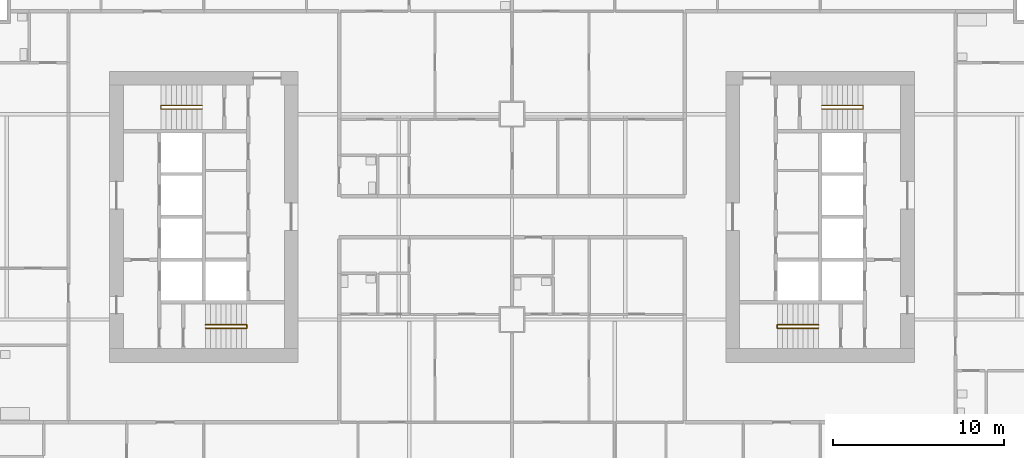
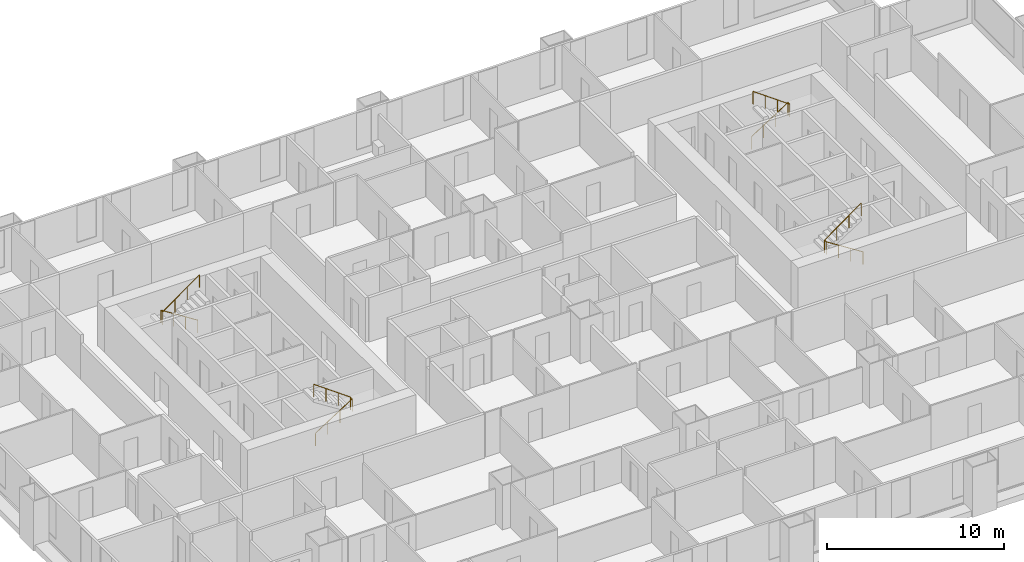
# One storey, part 13 of 14: 4 railings.
"""IFC4 building model written with IfcOpenShell, lengths in metres."""

from ifc_helpers import new_model, si_unit, direction, frame, origin, origin_2d, place, context, subcontext, project, spatial, circle, extrude, material, type_object, element, save


model = new_model("IFC4")

# Units and contexts
model_context = context("Model", 3, precision=1e-05, world=origin(), true_north=direction((0.0, 1.0)))
body_context = subcontext(model_context, "Body", "Model", "MODEL_VIEW")
ifc_project = project(units=[si_unit("LENGTHUNIT", "METRE"), si_unit("AREAUNIT", "SQUARE_METRE"), si_unit("VOLUMEUNIT", "CUBIC_METRE"), si_unit("PLANEANGLEUNIT", "RADIAN"), si_unit("MASSUNIT", "GRAM", prefix="KILO")], contexts=[model_context])

# Site, building, storey
site_placement = place(None, origin())
site = spatial("IfcSite", under=ifc_project, at=site_placement, CompositionType="ELEMENT")
building_placement = place(site_placement, origin())
building = spatial("IfcBuilding", under=site, at=building_placement, Name="Kitamizu Gate Tower and Museum", CompositionType="ELEMENT")
storey_placement = place(building_placement, frame((0.0, 0.0, 64.5)))
storey = spatial("IfcBuildingStorey", under=building, at=storey_placement, Name="L15", CompositionType="ELEMENT", Elevation=64.5)

# Railings
ifc_material = material(Name="Stainless steel SUS304", Category="steel")
railing_type = type_object("IfcRailingType", Name="Stair handrail 900", PredefinedType="HANDRAIL", material=ifc_material)
railing_1_placement = place(storey_placement, frame((18.10009765625, 23.5, 0.191650390625)))
element("IfcRailing", 1, at=railing_1_placement, inside=storey, type_object=railing_type, Name="Stair handrail ST1", PredefinedType="HANDRAIL", context=body_context, shape_type="SweptSolid", body=[
    extrude(circle(Radius=0.02392578125, at=origin_2d()), frame((0.0, 0.0, 0.8759765625), z_axis=(0.842668169335, 0.0, 0.538433242278), x_axis=(0.0, 1.0, 0.0)), (0.0, 0.0, 1.0), 2.847900390625),
    extrude(circle(Radius=0.02392578125, at=origin_2d()), frame((2.39990234375, 0.0, 2.4091796875), z_axis=(0.0, 1.0, 0.0), x_axis=(-1.0, 0.0, 0.0)), (0.0, 0.0, 1.0), 0.199951171875),
    extrude(circle(Radius=0.02392578125, at=origin_2d()), frame((2.39990234375, 0.199951171875, 2.4091796875), z_axis=(-0.81202760531, 0.0, 0.583619026604), x_axis=(0.0, -1.0, 0.0)), (0.0, 0.0, 1.0), 2.955322265625),
    extrude(circle(Radius=0.02099609375, at=origin_2d()), origin(), (0.0, 0.0, 1.0), 0.851806640625),
    extrude(circle(Radius=0.02099609375, at=origin_2d()), frame((0.800048828125, 0.0, 0.51123046875)), (0.0, 0.0, 1.0), 0.851806640625),
    extrude(circle(Radius=0.02099609375, at=origin_2d()), frame((1.599853515625, 0.0, 1.022216796875)), (0.0, 0.0, 1.0), 0.851806640625),
    extrude(circle(Radius=0.02099609375, at=origin_2d()), frame((2.39990234375, 0.0, 1.533447265625)), (0.0, 0.0, 1.0), 0.851806640625),
    extrude(circle(Radius=0.02099609375, at=origin_2d()), frame((2.39990234375, 0.199951171875, 1.533447265625)), (0.0, 0.0, 1.0), 0.851806640625),
    extrude(circle(Radius=0.02099609375, at=origin_2d()), frame((1.599853515625, 0.199951171875, 2.1083984375)), (0.0, 0.0, 1.0), 0.851806640625),
    extrude(circle(Radius=0.02099609375, at=origin_2d()), frame((0.800048828125, 0.199951171875, 2.683349609375)), (0.0, 0.0, 1.0), 0.851806640625),
    extrude(circle(Radius=0.02099609375, at=origin_2d()), frame((0.0, 0.199951171875, 3.25830078125)), (0.0, 0.0, 1.0), 0.851806640625),
])
railing_2_placement = place(storey_placement, frame((17.89990234375, 36.5, 0.191650390625)))
element("IfcRailing", 2, at=railing_2_placement, inside=storey, type_object=railing_type, Name="Stair handrail ST2", PredefinedType="HANDRAIL", context=body_context, shape_type="SweptSolid", body=[
    extrude(circle(Radius=0.02392578125, at=origin_2d()), frame((0.0, 0.0, 0.8759765625), z_axis=(-0.842668169335, 0.0, 0.538433242278), x_axis=(0.0, -1.0, 0.0)), (0.0, 0.0, 1.0), 2.847900390625),
    extrude(circle(Radius=0.02392578125, at=origin_2d()), frame((-2.39990234375, 0.0, 2.4091796875), z_axis=(0.0, -1.0, 0.0), x_axis=(1.0, 0.0, 0.0)), (0.0, 0.0, 1.0), 0.199951171875),
    extrude(circle(Radius=0.02392578125, at=origin_2d()), frame((-2.39990234375, -0.199951171875, 2.4091796875), z_axis=(0.81202760531, 0.0, 0.583619026604), x_axis=(0.0, 1.0, 0.0)), (0.0, 0.0, 1.0), 2.955322265625),
    extrude(circle(Radius=0.02099609375, at=origin_2d()), origin(), (0.0, 0.0, 1.0), 0.851806640625),
    extrude(circle(Radius=0.02099609375, at=origin_2d()), frame((-0.800048828125, 0.0, 0.51123046875)), (0.0, 0.0, 1.0), 0.851806640625),
    extrude(circle(Radius=0.02099609375, at=origin_2d()), frame((-1.599853515625, 0.0, 1.022216796875)), (0.0, 0.0, 1.0), 0.851806640625),
    extrude(circle(Radius=0.02099609375, at=origin_2d()), frame((-2.39990234375, 0.0, 1.533447265625)), (0.0, 0.0, 1.0), 0.851806640625),
    extrude(circle(Radius=0.02099609375, at=origin_2d()), frame((-2.39990234375, -0.199951171875, 1.533447265625)), (0.0, 0.0, 1.0), 0.851806640625),
    extrude(circle(Radius=0.02099609375, at=origin_2d()), frame((-1.599853515625, -0.199951171875, 2.1083984375)), (0.0, 0.0, 1.0), 0.851806640625),
    extrude(circle(Radius=0.02099609375, at=origin_2d()), frame((-0.800048828125, -0.199951171875, 2.683349609375)), (0.0, 0.0, 1.0), 0.851806640625),
    extrude(circle(Radius=0.02099609375, at=origin_2d()), frame((0.0, -0.199951171875, 3.25830078125)), (0.0, 0.0, 1.0), 0.851806640625),
])
railing_3_placement = place(storey_placement, frame((53.89990234375, 23.5, 0.191650390625)))
element("IfcRailing", 3, at=railing_3_placement, inside=storey, type_object=railing_type, Name="Stair handrail ST3", PredefinedType="HANDRAIL", context=body_context, shape_type="SweptSolid", body=[
    extrude(circle(Radius=0.02392578125, at=origin_2d()), frame((0.0, 0.0, 0.8759765625), z_axis=(-0.842668169335, 0.0, 0.538433242278), x_axis=(0.0, -1.0, 0.0)), (0.0, 0.0, 1.0), 2.847900390625),
    extrude(circle(Radius=0.02392578125, at=origin_2d()), frame((-2.39990234375, 0.0, 2.4091796875), z_axis=(0.0, 1.0, 0.0), x_axis=(-1.0, 0.0, 0.0)), (0.0, 0.0, 1.0), 0.199951171875),
    extrude(circle(Radius=0.02392578125, at=origin_2d()), frame((-2.39990234375, 0.199951171875, 2.4091796875), z_axis=(0.81202760531, 0.0, 0.583619026604), x_axis=(0.0, 1.0, 0.0)), (0.0, 0.0, 1.0), 2.955322265625),
    extrude(circle(Radius=0.02099609375, at=origin_2d()), origin(), (0.0, 0.0, 1.0), 0.851806640625),
    extrude(circle(Radius=0.02099609375, at=origin_2d()), frame((-0.800048828125, 0.0, 0.51123046875)), (0.0, 0.0, 1.0), 0.851806640625),
    extrude(circle(Radius=0.02099609375, at=origin_2d()), frame((-1.599853515625, 0.0, 1.022216796875)), (0.0, 0.0, 1.0), 0.851806640625),
    extrude(circle(Radius=0.02099609375, at=origin_2d()), frame((-2.39990234375, 0.0, 1.533447265625)), (0.0, 0.0, 1.0), 0.851806640625),
    extrude(circle(Radius=0.02099609375, at=origin_2d()), frame((-2.39990234375, 0.199951171875, 1.533447265625)), (0.0, 0.0, 1.0), 0.851806640625),
    extrude(circle(Radius=0.02099609375, at=origin_2d()), frame((-1.599853515625, 0.199951171875, 2.1083984375)), (0.0, 0.0, 1.0), 0.851806640625),
    extrude(circle(Radius=0.02099609375, at=origin_2d()), frame((-0.800048828125, 0.199951171875, 2.683349609375)), (0.0, 0.0, 1.0), 0.851806640625),
    extrude(circle(Radius=0.02099609375, at=origin_2d()), frame((0.0, 0.199951171875, 3.25830078125)), (0.0, 0.0, 1.0), 0.851806640625),
])
railing_4_placement = place(storey_placement, frame((54.10009765625, 36.5, 0.191650390625)))
element("IfcRailing", 4, at=railing_4_placement, inside=storey, type_object=railing_type, Name="Stair handrail ST4", PredefinedType="HANDRAIL", context=body_context, shape_type="SweptSolid", body=[
    extrude(circle(Radius=0.02392578125, at=origin_2d()), frame((0.0, 0.0, 0.8759765625), z_axis=(0.842668169335, 0.0, 0.538433242278), x_axis=(0.0, 1.0, 0.0)), (0.0, 0.0, 1.0), 2.847900390625),
    extrude(circle(Radius=0.02392578125, at=origin_2d()), frame((2.39990234375, 0.0, 2.4091796875), z_axis=(0.0, -1.0, 0.0), x_axis=(1.0, 0.0, 0.0)), (0.0, 0.0, 1.0), 0.199951171875),
    extrude(circle(Radius=0.02392578125, at=origin_2d()), frame((2.39990234375, -0.199951171875, 2.4091796875), z_axis=(-0.81202760531, 0.0, 0.583619026604), x_axis=(0.0, -1.0, 0.0)), (0.0, 0.0, 1.0), 2.955322265625),
    extrude(circle(Radius=0.02099609375, at=origin_2d()), origin(), (0.0, 0.0, 1.0), 0.851806640625),
    extrude(circle(Radius=0.02099609375, at=origin_2d()), frame((0.800048828125, 0.0, 0.51123046875)), (0.0, 0.0, 1.0), 0.851806640625),
    extrude(circle(Radius=0.02099609375, at=origin_2d()), frame((1.599853515625, 0.0, 1.022216796875)), (0.0, 0.0, 1.0), 0.851806640625),
    extrude(circle(Radius=0.02099609375, at=origin_2d()), frame((2.39990234375, 0.0, 1.533447265625)), (0.0, 0.0, 1.0), 0.851806640625),
    extrude(circle(Radius=0.02099609375, at=origin_2d()), frame((2.39990234375, -0.199951171875, 1.533447265625)), (0.0, 0.0, 1.0), 0.851806640625),
    extrude(circle(Radius=0.02099609375, at=origin_2d()), frame((1.599853515625, -0.199951171875, 2.1083984375)), (0.0, 0.0, 1.0), 0.851806640625),
    extrude(circle(Radius=0.02099609375, at=origin_2d()), frame((0.800048828125, -0.199951171875, 2.683349609375)), (0.0, 0.0, 1.0), 0.851806640625),
    extrude(circle(Radius=0.02099609375, at=origin_2d()), frame((0.0, -0.199951171875, 3.25830078125)), (0.0, 0.0, 1.0), 0.851806640625),
])

save(model, "model.ifc")
